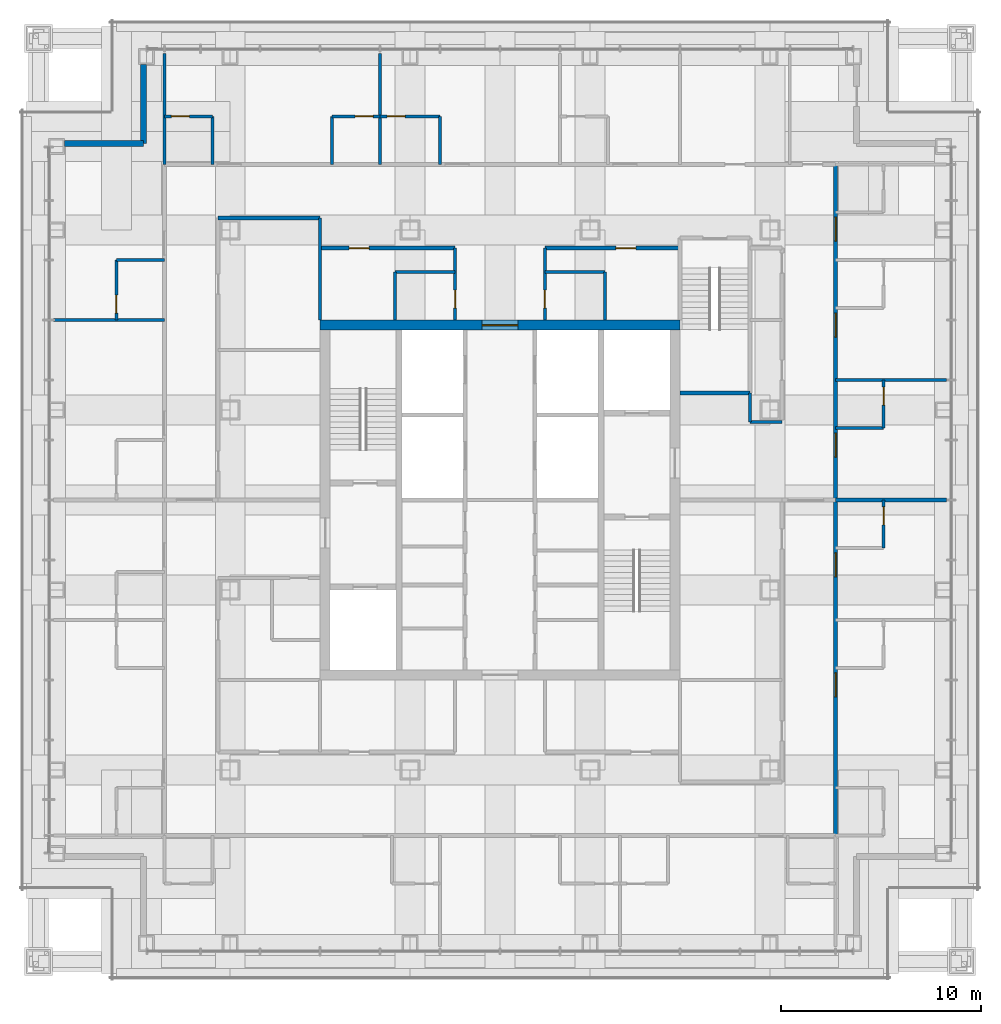
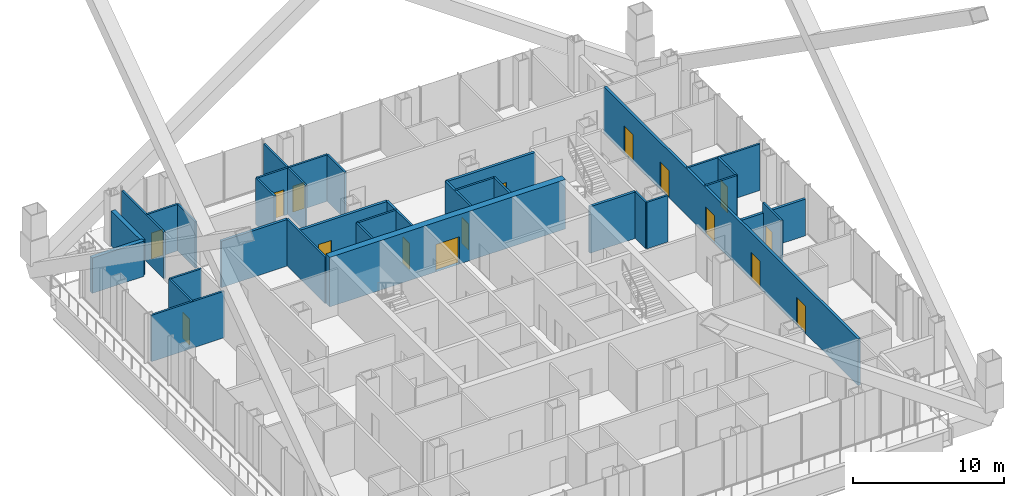
# One storey, part 14 of 18: 33 walls, 16 doors, 16 openings.
"""IFC4 building model written with IfcOpenShell, lengths in metres."""

import ifcopenshell
import ifcopenshell.guid

model = None  # the IFC model being written
_history = None  # IfcOwnerHistory: only IFC2X3 demands one
_inside = {}  # id of a spatial element -> (the spatial element, [elements in it])
_under = {}  # id of a project, library or spatial element -> (it, [spatial elements below it])
_declared = {}  # id of a project -> (the project, [libraries it declares])
_typed = {}  # id of a type object -> (the type object, [elements of that type])
_made_of = {}  # id of a material, layer set ... -> (it, [elements and type objects made of it])


def new_model(schema):
    """Start an empty IFC model of exactly this schema.

    Asked for "IFC4X3", IfcOpenShell would pick the latest addendum, in which some entities
    have other attributes; the version numbers below select the first issue.
    IFC2X3 requires an IfcOwnerHistory on every rooted entity: one is made here for all.
    """
    global model, _history
    if schema == "IFC4X3":
        model = ifcopenshell.file(schema_version=(4, 3, 0, 0))
    else:
        model = ifcopenshell.file(schema=schema)
    _inside.clear()
    _under.clear()
    _declared.clear()
    _typed.clear()
    _made_of.clear()
    _history = None
    if model.schema == "IFC2X3":
        org = make("IfcOrganization", Name="unknown")
        user = make(
            "IfcPersonAndOrganization",
            ThePerson=make("IfcPerson", FamilyName="unknown"),
            TheOrganization=org,
        )
        app = make(
            "IfcApplication",
            ApplicationDeveloper=org,
            Version="unknown",
            ApplicationFullName="unknown",
            ApplicationIdentifier="unknown",
        )
        _history = make(
            "IfcOwnerHistory",
            OwningUser=user,
            OwningApplication=app,
            ChangeAction="ADDED",
            CreationDate=0,
        )
    return model


def make(cls, **values):
    """One entity of the class cls with the attributes given. An attribute that is None is left unset."""
    return model.create_entity(
        cls, **{name: value for name, value in values.items() if value is not None}
    )


def rooted(cls, **values):
    """An entity with a GlobalId (a new one), such as an element, a storey or a relation."""
    return make(cls, GlobalId=ifcopenshell.guid.new(), OwnerHistory=_history, **values)


def si_unit(unit_type, name, prefix=None):
    """IfcSIUnit, for example si_unit("LENGTHUNIT", "METRE", prefix="MILLI")."""
    return make("IfcSIUnit", UnitType=unit_type, Prefix=prefix, Name=name)


def assignment(units):
    """IfcUnitAssignment: the units of a project."""
    return None if units is None else make("IfcUnitAssignment", Units=units)


def point(xyz):
    """IfcCartesianPoint."""
    return None if xyz is None else make("IfcCartesianPoint", Coordinates=xyz)


def direction(xyz):
    """IfcDirection."""
    return None if xyz is None else make("IfcDirection", DirectionRatios=xyz)


def frame(location, z_axis=None, x_axis=None):
    """IfcAxis2Placement3D, a coordinate frame: its origin and axes. An axis left out is left unset."""
    return make(
        "IfcAxis2Placement3D",
        Location=point(location),
        Axis=direction(z_axis),
        RefDirection=direction(x_axis),
    )


def frame_2d(location, x_axis=None):
    """IfcAxis2Placement2D, a coordinate frame in the plane: its origin and x axis."""
    return make(
        "IfcAxis2Placement2D", Location=point(location), RefDirection=direction(x_axis)
    )


def origin():
    """The frame at (0, 0, 0) with its axes left unset."""
    return frame((0.0, 0.0, 0.0))


def place(relative_to, where):
    """IfcLocalPlacement: puts the frame where relative to a parent placement (None: the world)."""
    return make(
        "IfcLocalPlacement", PlacementRelTo=relative_to, RelativePlacement=where
    )


def context(
    kind, dimensions, precision=None, world=None, true_north=None, identifier=None
):
    """IfcGeometricRepresentationContext, for example the 3D "Model" context."""
    return make(
        "IfcGeometricRepresentationContext",
        ContextIdentifier=identifier,
        ContextType=kind,
        CoordinateSpaceDimension=dimensions,
        Precision=precision,
        WorldCoordinateSystem=world,
        TrueNorth=true_north,
    )


def subcontext(parent, identifier, kind, view, scale=None):
    """IfcGeometricRepresentationSubContext, for example "Body" below "Model"."""
    return make(
        "IfcGeometricRepresentationSubContext",
        ContextIdentifier=identifier,
        ContextType=kind,
        ParentContext=parent,
        TargetScale=scale,
        TargetView=view,
    )


def project(units=None, contexts=None):
    """IfcProject with its units and contexts."""
    return rooted(
        "IfcProject",
        Name="project",
        RepresentationContexts=contexts,
        UnitsInContext=assignment(units),
    )


def spatial(cls, under=None, at=None, **own):
    """A site, building, storey or space (cls), placed at a placement, below another one or the project."""
    s = rooted(cls, ObjectPlacement=at, **own)
    if under is not None:
        _under.setdefault(under.id(), (under, []))[1].append(s)
    return s


def profile(cls, at=None, kind="AREA", **sizes):
    """A parametric profile (cls). Its sizes go by their IFC names, for example OverallWidth=200.0."""
    return make(cls, ProfileType=kind, Position=at, **sizes)


def rectangle(**sizes):
    """IfcRectangleProfileDef."""
    return profile("IfcRectangleProfileDef", **sizes)


def extrude(swept, where, along, depth):
    """IfcExtrudedAreaSolid: the profile swept, set in the frame where, extruded along a direction by depth."""
    return make(
        "IfcExtrudedAreaSolid",
        SweptArea=swept,
        Position=where,
        ExtrudedDirection=direction(along),
        Depth=depth,
    )


def shape(context_of_items, identifier, shape_type, items):
    """IfcShapeRepresentation: the items that make up one representation, for example the "Body"."""
    return make(
        "IfcShapeRepresentation",
        ContextOfItems=context_of_items,
        RepresentationIdentifier=identifier,
        RepresentationType=shape_type,
        Items=items,
    )


def material(Name=None, Category=None):
    """IfcMaterial."""
    return make("IfcMaterial", Name=Name, Category=Category)


def layer(
    of_material, thickness, ventilated=None, Name=None, Category=None, Priority=None
):
    """IfcMaterialLayer: one layer of a wall or slab, of a material (None: an air gap)."""
    return make(
        "IfcMaterialLayer",
        Material=of_material,
        LayerThickness=thickness,
        IsVentilated=ventilated,
        Name=Name,
        Category=Category,
        Priority=Priority,
    )


def layer_set(layers, Name=None):
    """IfcMaterialLayerSet."""
    return make("IfcMaterialLayerSet", MaterialLayers=layers, LayerSetName=Name)


def made_of(thing, what):
    """Note that an element or type object is made of a material, layer set ...; save() writes the relation."""
    if what is not None:
        _made_of.setdefault(what.id(), (what, []))[1].append(thing)
    return thing


def type_object(cls, material=None, **own):
    """A type object (cls), such as IfcWallType, which elements share."""
    return made_of(rooted(cls, **own), material)


def element(
    cls,
    number,
    at=None,
    inside=None,
    cuts=None,
    type_object=None,
    material=None,
    context=None,
    identifier="Body",
    shape_type=None,
    held_by="IfcProductDefinitionShape",
    body=None,
    shapes=None,
    **own,
):
    """One element of the class cls, such as IfcWall. Its Tag is "e" and its number.

    at: its placement. inside: the storey or other place that contains it. cuts: it is an
    opening in that element (IfcRelVoidsElement). A single representation is given by context,
    identifier, shape_type and body (its items); several are given by shapes. held_by: the class
    of the entity that holds the representations. save() writes the other relations.
    """
    e = rooted(cls, Tag="e%d" % number, ObjectPlacement=at, **own)
    if body is not None:
        shapes = [shape(context, identifier, shape_type, body)]
    if shapes is not None:
        e.Representation = make(held_by, Representations=shapes)
    if inside is not None:
        _inside.setdefault(inside.id(), (inside, []))[1].append(e)
    if cuts is not None:
        rooted(
            "IfcRelVoidsElement", RelatingBuildingElement=cuts, RelatedOpeningElement=e
        )
    if type_object is not None:
        _typed.setdefault(type_object.id(), (type_object, []))[1].append(e)
    return made_of(e, material)


def fill(opening, filler):
    """IfcRelFillsElement: the door or window that sits in an opening."""
    return rooted(
        "IfcRelFillsElement",
        RelatingOpeningElement=opening,
        RelatedBuildingElement=filler,
    )


def aggregate(whole, parts):
    """IfcRelAggregates: a whole, such as a stair, and the parts it consists of."""
    return rooted("IfcRelAggregates", RelatingObject=whole, RelatedObjects=parts)


def save(model, path):
    """Write the relations noted so far, then the file.

    IfcRelAggregates (storeys below a building ...), IfcRelContainedInSpatialStructure (elements
    in a storey), IfcRelDefinesByType, IfcRelAssociatesMaterial and IfcRelDeclares: one each for
    every whole, place, type object, material and project.
    """
    for whole, parts in _under.values():
        aggregate(whole, parts)
    for where, things in _inside.values():
        rooted(
            "IfcRelContainedInSpatialStructure",
            RelatedElements=things,
            RelatingStructure=where,
        )
    for kind, things in _typed.values():
        rooted("IfcRelDefinesByType", RelatedObjects=things, RelatingType=kind)
    for what, things in _made_of.values():
        rooted("IfcRelAssociatesMaterial", RelatedObjects=things, RelatingMaterial=what)
    for by, libraries in _declared.values():
        rooted("IfcRelDeclares", RelatingContext=by, RelatedDefinitions=libraries)
    model.write(path)


model = new_model("IFC4")

# Units and contexts
model_context = context("Model", 3, precision=1e-05, world=origin(), true_north=direction((0.0, 1.0)))
body_context = subcontext(model_context, "Body", "Model", "MODEL_VIEW")
ifc_project = project(units=[si_unit("LENGTHUNIT", "METRE"), si_unit("AREAUNIT", "SQUARE_METRE"), si_unit("VOLUMEUNIT", "CUBIC_METRE"), si_unit("PLANEANGLEUNIT", "RADIAN"), si_unit("MASSUNIT", "GRAM", prefix="KILO")], contexts=[model_context])

# Site, building, storey
site_placement = place(None, origin())
site = spatial("IfcSite", under=ifc_project, at=site_placement, CompositionType="ELEMENT")
building_placement = place(site_placement, origin())
building = spatial("IfcBuilding", under=site, at=building_placement, Name="Malebo Sky Hospital", CompositionType="ELEMENT")
storey_placement = place(building_placement, frame((0.0, 0.0, 177.0)))
storey = spatial("IfcBuildingStorey", under=building, at=storey_placement, Name="L42", CompositionType="ELEMENT", Elevation=177.0)

# Wall, opening, door
ifc_material_1 = material(Name="Concrete C80/95", Category="concrete")
ifc_layer_1 = layer(ifc_material_1, 0.5)
ifc_layer_set_1 = layer_set([ifc_layer_1], Name="CORE WALL 500")
wall_type_1 = type_object("IfcWallType", Name="CORE WALL 500", PredefinedType="SHEAR", material=ifc_layer_set_1)
wall_1_placement = place(storey_placement, frame((51.0, 70.75, 0.0), z_axis=(0.0, 0.0, 1.0), x_axis=(1.0, 0.0, 0.0)))
wall_1 = element("IfcWall", 1, at=wall_1_placement, inside=storey, type_object=wall_type_1, Name="Core wall N L42", PredefinedType="SHEAR", context=body_context, shape_type="SweptSolid", body=[
    extrude(rectangle(XDim=18.0, YDim=0.5, at=frame_2d((9.0, 0.0))), origin(), (0.0, 0.0, 1.0), 4.0),
])
opening_1_placement = place(wall_1_placement, frame((8.10009765625, 0.0, 0.0)))
opening_1 = element("IfcOpeningElement", 2, at=opening_1_placement, cuts=wall_1, Name="Opening D06", PredefinedType="OPENING", context=body_context, shape_type="SweptSolid", body=[
    extrude(rectangle(XDim=1.800048828125, YDim=2.199951171875, at=frame_2d((0.89990234375, 1.10009765625))), frame((0.0, 0.260009765625, 0.0), z_axis=(0.0, -1.0, 0.0), x_axis=(1.0, 0.0, 0.0)), (0.0, 0.0, 1.0), 0.52001953125),
])
ifc_material_2 = material(Name="Hardwood-faced door leaf in steel frame", Category="steel")
door_type_1 = type_object("IfcDoorType", Name="LOBBY DOOR PAIR 1800", OperationType="DOUBLE_DOOR_SINGLE_SWING", PredefinedType="DOOR", material=ifc_material_2)
door_1_placement = place(opening_1_placement, origin())
door_1 = element("IfcDoor", 3, at=door_1_placement, inside=storey, type_object=door_type_1, Name="Lift lobby door north", OperationType="DOUBLE_DOOR_SINGLE_SWING", OverallHeight=2.199951171875, OverallWidth=1.800048828125, PredefinedType="DOOR", context=body_context, shape_type="SweptSolid", body=[
    extrude(rectangle(XDim=1.800048828125, YDim=2.199951171875, at=frame_2d((0.89990234375, 1.10009765625))), frame((0.0, 0.02490234375, 0.0), z_axis=(0.0, -1.0, 0.0), x_axis=(1.0, 0.0, 0.0)), (0.0, 0.0, 1.0), 0.050048828125),
])
fill(opening_1, door_1)

# Wall
ifc_material_3 = material(Name="Gypsum board on steel studs", Category="steel")
ifc_layer_2 = layer(ifc_material_3, 0.199951171875)
ifc_layer_set_2 = layer_set([ifc_layer_2], Name="CORRIDOR WALL 200")
wall_type_2 = type_object("IfcWallType", Name="CORRIDOR WALL 200", PredefinedType="PARTITIONING", material=ifc_layer_set_2)
wall_2_placement = place(storey_placement, frame((45.89990234375, 76.10009765625, 0.0), z_axis=(0.0, 0.0, 1.0), x_axis=(1.0, 0.0, 0.0)))
element("IfcWall", 4, at=wall_2_placement, inside=storey, type_object=wall_type_2, Name="Corridor Wall 200 NCIK", PredefinedType="PARTITIONING", context=body_context, shape_type="SweptSolid", body=[
    extrude(rectangle(XDim=5.10009765625, YDim=0.199951171875, at=frame_2d((2.550048828125, 0.0))), origin(), (0.0, 0.0, 1.0), 3.75),
])

# Wall, opening, door
wall_3_placement = place(storey_placement, frame((51.0, 74.60009765625, 0.0), z_axis=(0.0, 0.0, 1.0), x_axis=(1.0, 0.0, 0.0)))
wall_3 = element("IfcWall", 5, at=wall_3_placement, inside=storey, type_object=wall_type_2, Name="Corridor Wall 200 NCI1", PredefinedType="PARTITIONING", context=body_context, shape_type="SweptSolid", body=[
    extrude(rectangle(XDim=6.75, YDim=0.199951171875, at=frame_2d((3.375, 0.0))), origin(), (0.0, 0.0, 1.0), 3.75),
])
opening_2_placement = place(wall_3_placement, frame((1.449951171875, 0.0, 0.0)))
opening_2 = element("IfcOpeningElement", 6, at=opening_2_placement, cuts=wall_3, Name="Opening D03", PredefinedType="OPENING", context=body_context, shape_type="SweptSolid", body=[
    extrude(rectangle(XDim=1.0, YDim=2.10009765625, at=frame_2d((0.5, 1.050048828125))), frame((0.0, 0.10986328125, 0.0), z_axis=(0.0, -1.0, 0.0), x_axis=(1.0, 0.0, 0.0)), (0.0, 0.0, 1.0), 0.219970703125),
])
door_type_2 = type_object("IfcDoorType", Name="ROOM DOOR 1000", OperationType="SINGLE_SWING_LEFT", PredefinedType="DOOR", material=ifc_material_2)
door_2_placement = place(opening_2_placement, origin())
door_2 = element("IfcDoor", 7, at=door_2_placement, inside=storey, type_object=door_type_2, Name="Clean utility room door", OperationType="SINGLE_SWING_LEFT", OverallHeight=2.10009765625, OverallWidth=1.0, PredefinedType="DOOR", context=body_context, shape_type="SweptSolid", body=[
    extrude(rectangle(XDim=1.0, YDim=2.10009765625, at=frame_2d((0.5, 1.050048828125))), frame((0.0, 0.02490234375, 0.0), z_axis=(0.0, -1.0, 0.0), x_axis=(1.0, 0.0, 0.0)), (0.0, 0.0, 1.0), 0.050048828125),
])
fill(opening_2, door_2)

wall_4_placement = place(storey_placement, frame((62.25, 74.60009765625, 0.0), z_axis=(0.0, 0.0, 1.0), x_axis=(1.0, 0.0, 0.0)))
wall_4 = element("IfcWall", 8, at=wall_4_placement, inside=storey, type_object=wall_type_2, Name="Corridor Wall 200 NCI2", PredefinedType="PARTITIONING", context=body_context, shape_type="SweptSolid", body=[
    extrude(rectangle(XDim=6.75, YDim=0.199951171875, at=frame_2d((3.375, 0.0))), origin(), (0.0, 0.0, 1.0), 3.75),
])
opening_3_placement = place(wall_4_placement, frame((3.550048828125, 0.0, 0.0)))
opening_3 = element("IfcOpeningElement", 9, at=opening_3_placement, cuts=wall_4, Name="Opening D03", PredefinedType="OPENING", context=body_context, shape_type="SweptSolid", body=[
    extrude(rectangle(XDim=1.0, YDim=2.10009765625, at=frame_2d((0.5, 1.050048828125))), frame((0.0, 0.10986328125, 0.0), z_axis=(0.0, -1.0, 0.0), x_axis=(1.0, 0.0, 0.0)), (0.0, 0.0, 1.0), 0.219970703125),
])
door_3_placement = place(opening_3_placement, origin())
door_3 = element("IfcDoor", 10, at=door_3_placement, inside=storey, type_object=door_type_2, Name="Medication room door", OperationType="SINGLE_SWING_RIGHT", OverallHeight=2.10009765625, OverallWidth=1.0, PredefinedType="DOOR", context=body_context, shape_type="SweptSolid", body=[
    extrude(rectangle(XDim=1.0, YDim=2.10009765625, at=frame_2d((0.5, 1.050048828125))), frame((0.0, 0.02490234375, 0.0), z_axis=(0.0, -1.0, 0.0), x_axis=(1.0, 0.0, 0.0)), (0.0, 0.0, 1.0), 0.050048828125),
])
fill(opening_3, door_3)

# Wall, openings, doors
wall_5_placement = place(storey_placement, frame((76.800048828125, 78.800048828125, 0.0), z_axis=(0.0, 0.0, 1.0), x_axis=(0.0, -1.0, 0.0)))
wall_5 = element("IfcWall", 11, at=wall_5_placement, inside=storey, type_object=wall_type_2, Name="Corridor Wall 200 ECO", PredefinedType="PARTITIONING", context=body_context, shape_type="SweptSolid", body=[
    extrude(rectangle(XDim=33.60009765625, YDim=0.199951171875, at=frame_2d((16.800048828125, 0.0))), origin(), (0.0, 0.0, 1.0), 3.75),
])
opening_4_placement = place(wall_5_placement, frame((2.64990234375, 0.0, 0.0)))
opening_4 = element("IfcOpeningElement", 12, at=opening_4_placement, cuts=wall_5, Name="Opening D01", PredefinedType="OPENING", context=body_context, shape_type="SweptSolid", body=[
    extrude(rectangle(XDim=1.199951171875, YDim=2.199951171875, at=frame_2d((0.60009765625, 1.10009765625))), frame((0.0, 0.10986328125, 0.0), z_axis=(0.0, -1.0, 0.0), x_axis=(1.0, 0.0, 0.0)), (0.0, 0.0, 1.0), 0.219970703125),
])
opening_5_placement = place(wall_5_placement, frame((7.449951171875, 0.0, 0.0)))
opening_5 = element("IfcOpeningElement", 13, at=opening_5_placement, cuts=wall_5, Name="Opening D01", PredefinedType="OPENING", context=body_context, shape_type="SweptSolid", body=[
    extrude(rectangle(XDim=1.199951171875, YDim=2.199951171875, at=frame_2d((0.60009765625, 1.10009765625))), frame((0.0, 0.10986328125, 0.0), z_axis=(0.0, -1.0, 0.0), x_axis=(1.0, 0.0, 0.0)), (0.0, 0.0, 1.0), 0.219970703125),
])
opening_6_placement = place(wall_5_placement, frame((13.449951171875, 0.0, 0.0)))
opening_6 = element("IfcOpeningElement", 14, at=opening_6_placement, cuts=wall_5, Name="Opening D01", PredefinedType="OPENING", context=body_context, shape_type="SweptSolid", body=[
    extrude(rectangle(XDim=1.199951171875, YDim=2.199951171875, at=frame_2d((0.60009765625, 1.10009765625))), frame((0.0, 0.10986328125, 0.0), z_axis=(0.0, -1.0, 0.0), x_axis=(1.0, 0.0, 0.0)), (0.0, 0.0, 1.0), 0.219970703125),
])
opening_7_placement = place(wall_5_placement, frame((19.449951171875, 0.0, 0.0)))
opening_7 = element("IfcOpeningElement", 15, at=opening_7_placement, cuts=wall_5, Name="Opening D01", PredefinedType="OPENING", context=body_context, shape_type="SweptSolid", body=[
    extrude(rectangle(XDim=1.199951171875, YDim=2.199951171875, at=frame_2d((0.60009765625, 1.10009765625))), frame((0.0, 0.10986328125, 0.0), z_axis=(0.0, -1.0, 0.0), x_axis=(1.0, 0.0, 0.0)), (0.0, 0.0, 1.0), 0.219970703125),
])
opening_8_placement = place(wall_5_placement, frame((25.449951171875, 0.0, 0.0)))
opening_8 = element("IfcOpeningElement", 16, at=opening_8_placement, cuts=wall_5, Name="Opening D01", PredefinedType="OPENING", context=body_context, shape_type="SweptSolid", body=[
    extrude(rectangle(XDim=1.199951171875, YDim=2.199951171875, at=frame_2d((0.60009765625, 1.10009765625))), frame((0.0, 0.10986328125, 0.0), z_axis=(0.0, -1.0, 0.0), x_axis=(1.0, 0.0, 0.0)), (0.0, 0.0, 1.0), 0.219970703125),
])
door_type_3 = type_object("IfcDoorType", Name="BED DOOR 1200", OperationType="SINGLE_SWING_LEFT", PredefinedType="DOOR", material=ifc_material_2)
door_4_placement = place(opening_4_placement, origin())
door_4 = element("IfcDoor", 17, at=door_4_placement, inside=storey, type_object=door_type_3, Name="Single bed room door", OperationType="SINGLE_SWING_LEFT", OverallHeight=2.199951171875, OverallWidth=1.199951171875, PredefinedType="DOOR", context=body_context, shape_type="SweptSolid", body=[
    extrude(rectangle(XDim=1.199951171875, YDim=2.199951171875, at=frame_2d((0.60009765625, 1.10009765625))), frame((0.0, 0.02490234375, 0.0), z_axis=(0.0, -1.0, 0.0), x_axis=(1.0, 0.0, 0.0)), (0.0, 0.0, 1.0), 0.050048828125),
])
fill(opening_4, door_4)
door_5_placement = place(opening_5_placement, origin())
door_5 = element("IfcDoor", 18, at=door_5_placement, inside=storey, type_object=door_type_3, Name="Single bed room door", OperationType="SINGLE_SWING_LEFT", OverallHeight=2.199951171875, OverallWidth=1.199951171875, PredefinedType="DOOR", context=body_context, shape_type="SweptSolid", body=[
    extrude(rectangle(XDim=1.199951171875, YDim=2.199951171875, at=frame_2d((0.60009765625, 1.10009765625))), frame((0.0, 0.02490234375, 0.0), z_axis=(0.0, -1.0, 0.0), x_axis=(1.0, 0.0, 0.0)), (0.0, 0.0, 1.0), 0.050048828125),
])
fill(opening_5, door_5)
door_6_placement = place(opening_6_placement, origin())
door_6 = element("IfcDoor", 19, at=door_6_placement, inside=storey, type_object=door_type_3, Name="Single bed room door", OperationType="SINGLE_SWING_LEFT", OverallHeight=2.199951171875, OverallWidth=1.199951171875, PredefinedType="DOOR", context=body_context, shape_type="SweptSolid", body=[
    extrude(rectangle(XDim=1.199951171875, YDim=2.199951171875, at=frame_2d((0.60009765625, 1.10009765625))), frame((0.0, 0.02490234375, 0.0), z_axis=(0.0, -1.0, 0.0), x_axis=(1.0, 0.0, 0.0)), (0.0, 0.0, 1.0), 0.050048828125),
])
fill(opening_6, door_6)
door_7_placement = place(opening_7_placement, origin())
door_7 = element("IfcDoor", 20, at=door_7_placement, inside=storey, type_object=door_type_3, Name="Single bed room door", OperationType="SINGLE_SWING_LEFT", OverallHeight=2.199951171875, OverallWidth=1.199951171875, PredefinedType="DOOR", context=body_context, shape_type="SweptSolid", body=[
    extrude(rectangle(XDim=1.199951171875, YDim=2.199951171875, at=frame_2d((0.60009765625, 1.10009765625))), frame((0.0, 0.02490234375, 0.0), z_axis=(0.0, -1.0, 0.0), x_axis=(1.0, 0.0, 0.0)), (0.0, 0.0, 1.0), 0.050048828125),
])
fill(opening_7, door_7)
door_8_placement = place(opening_8_placement, origin())
door_8 = element("IfcDoor", 21, at=door_8_placement, inside=storey, type_object=door_type_3, Name="Four-bed bay door", OperationType="SINGLE_SWING_LEFT", OverallHeight=2.199951171875, OverallWidth=1.199951171875, PredefinedType="DOOR", context=body_context, shape_type="SweptSolid", body=[
    extrude(rectangle(XDim=1.199951171875, YDim=2.199951171875, at=frame_2d((0.60009765625, 1.10009765625))), frame((0.0, 0.02490234375, 0.0), z_axis=(0.0, -1.0, 0.0), x_axis=(1.0, 0.0, 0.0)), (0.0, 0.0, 1.0), 0.050048828125),
])
fill(opening_8, door_8)

# Walls
ifc_material_4 = material(Name="Anodised aluminium rainscreen on steel framing", Category="steel")
ifc_layer_3 = layer(ifc_material_4, 0.300048828125)
ifc_layer_set_3 = layer_set([ifc_layer_3], Name="NOTCH RAINSCREEN WALL 300")
wall_type_3 = type_object("IfcWallType", Name="NOTCH RAINSCREEN WALL 300", PredefinedType="ELEMENTEDWALL", material=ifc_layer_set_3)
for number, where, z_axis, x_axis, name in (
    (22, (38.199951171875, 79.85009765625, 0.0), (0.0, 0.0, 1.0), (1.0, 0.0, 0.0), "Notch rainscreen wall W1 L42"),
    (23, (42.14990234375, 79.85009765625, 0.0), (0.0, 0.0, 1.0), (0.0, 1.0, 0.0), "Notch rainscreen wall W2 L42"),
):
    element("IfcWall", number, at=place(storey_placement, frame(where, z_axis=z_axis, x_axis=x_axis)), inside=storey, type_object=wall_type_3, Name=name, PredefinedType="ELEMENTEDWALL", context=body_context, shape_type="SweptSolid", body=[
        extrude(rectangle(XDim=3.949951171875, YDim=0.300048828125, at=frame_2d((1.97509765625, 0.0))), origin(), (0.0, 0.0, 1.0), 2.85009765625),
    ])
ifc_layer_4 = layer(ifc_material_3, 0.14990234375)
ifc_layer_set_4 = layer_set([ifc_layer_4], Name="PARTITION 150")
wall_type_4 = type_object("IfcWallType", Name="PARTITION 150", PredefinedType="PARTITIONING", material=ifc_layer_set_4)
for number, where, z_axis, x_axis, name in (
    (24, (54.0, 78.800048828125, 0.0), (0.0, 0.0, 1.0), (0.0, 1.0, 0.0), "Partition 150 NP-6.0"),
    (25, (43.199951171875, 78.800048828125, 0.0), (0.0, 0.0, 1.0), (0.0, 1.0, 0.0), "Partition 150 NP0"),
):
    element("IfcWall", number, at=place(storey_placement, frame(where, z_axis=z_axis, x_axis=x_axis)), inside=storey, type_object=wall_type_4, Name=name, PredefinedType="PARTITIONING", context=body_context, shape_type="SweptSolid", body=[
        extrude(rectangle(XDim=5.550048828125, YDim=0.14990234375, at=frame_2d((2.77490234375, 0.0))), origin(), (0.0, 0.0, 1.0), 3.75),
    ])

# Wall, opening, door
wall_6_placement = place(storey_placement, frame((43.199951171875, 81.199951171875, 0.0), z_axis=(0.0, 0.0, 1.0), x_axis=(1.0, 0.0, 0.0)))
wall_6 = element("IfcWall", 26, at=wall_6_placement, inside=storey, type_object=wall_type_4, Name="Partition 150 NE0F", PredefinedType="PARTITIONING", context=body_context, shape_type="SweptSolid", body=[
    extrude(rectangle(XDim=2.400146484375, YDim=0.14990234375, at=frame_2d((1.2001953125, 0.0))), origin(), (0.0, 0.0, 1.0), 3.75),
])
opening_9_placement = place(wall_6_placement, frame((0.35009765625, 0.0, 0.0)))
opening_9 = element("IfcOpeningElement", 27, at=opening_9_placement, cuts=wall_6, Name="Opening D02", PredefinedType="OPENING", context=body_context, shape_type="SweptSolid", body=[
    extrude(rectangle(XDim=0.89990234375, YDim=2.10009765625, at=frame_2d((0.449951171875, 1.050048828125))), frame((0.0, 0.0849609375, 0.0), z_axis=(0.0, -1.0, 0.0), x_axis=(1.0, 0.0, 0.0)), (0.0, 0.0, 1.0), 0.169921875),
])
door_type_4 = type_object("IfcDoorType", Name="EN-SUITE DOOR 900", OperationType="SINGLE_SWING_LEFT", PredefinedType="DOOR", material=ifc_material_2)
door_9_placement = place(opening_9_placement, origin())
door_9 = element("IfcDoor", 28, at=door_9_placement, inside=storey, type_object=door_type_4, Name="En-suite door", OperationType="SINGLE_SWING_LEFT", OverallHeight=2.10009765625, OverallWidth=0.89990234375, PredefinedType="DOOR", context=body_context, shape_type="SweptSolid", body=[
    extrude(rectangle(XDim=0.89990234375, YDim=2.10009765625, at=frame_2d((0.449951171875, 1.050048828125))), frame((0.0, 0.02490234375, 0.0), z_axis=(0.0, -1.0, 0.0), x_axis=(1.0, 0.0, 0.0)), (0.0, 0.0, 1.0), 0.050048828125),
])
fill(opening_9, door_9)

# Wall
wall_7_placement = place(storey_placement, frame((45.60009765625, 78.800048828125, 0.0), z_axis=(0.0, 0.0, 1.0), x_axis=(0.0, 1.0, 0.0)))
element("IfcWall", 29, at=wall_7_placement, inside=storey, type_object=wall_type_4, Name="Partition 150 NE0S", PredefinedType="PARTITIONING", context=body_context, shape_type="SweptSolid", body=[
    extrude(rectangle(XDim=2.39990234375, YDim=0.14990234375, at=frame_2d((1.199951171875, 0.0))), origin(), (0.0, 0.0, 1.0), 3.75),
])

# Wall, opening, door
wall_8_placement = place(storey_placement, frame((51.60009765625, 81.199951171875, 0.0), z_axis=(0.0, 0.0, 1.0), x_axis=(1.0, 0.0, 0.0)))
wall_8 = element("IfcWall", 30, at=wall_8_placement, inside=storey, type_object=wall_type_4, Name="Partition 150 NG0F", PredefinedType="PARTITIONING", context=body_context, shape_type="SweptSolid", body=[
    extrude(rectangle(XDim=2.39990234375, YDim=0.14990234375, at=frame_2d((1.199951171875, 0.0))), origin(), (0.0, 0.0, 1.0), 3.75),
])
opening_10_placement = place(wall_8_placement, frame((1.14990234375, 0.0, 0.0)))
opening_10 = element("IfcOpeningElement", 31, at=opening_10_placement, cuts=wall_8, Name="Opening D02", PredefinedType="OPENING", context=body_context, shape_type="SweptSolid", body=[
    extrude(rectangle(XDim=0.89990234375, YDim=2.10009765625, at=frame_2d((0.449951171875, 1.050048828125))), frame((0.0, 0.0849609375, 0.0), z_axis=(0.0, -1.0, 0.0), x_axis=(1.0, 0.0, 0.0)), (0.0, 0.0, 1.0), 0.169921875),
])
door_10_placement = place(opening_10_placement, origin())
door_10 = element("IfcDoor", 32, at=door_10_placement, inside=storey, type_object=door_type_4, Name="En-suite door", OperationType="SINGLE_SWING_RIGHT", OverallHeight=2.10009765625, OverallWidth=0.89990234375, PredefinedType="DOOR", context=body_context, shape_type="SweptSolid", body=[
    extrude(rectangle(XDim=0.89990234375, YDim=2.10009765625, at=frame_2d((0.449951171875, 1.050048828125))), frame((0.0, 0.02490234375, 0.0), z_axis=(0.0, -1.0, 0.0), x_axis=(1.0, 0.0, 0.0)), (0.0, 0.0, 1.0), 0.050048828125),
])
fill(opening_10, door_10)

# Wall
wall_9_placement = place(storey_placement, frame((51.60009765625, 78.800048828125, 0.0), z_axis=(0.0, 0.0, 1.0), x_axis=(0.0, 1.0, 0.0)))
element("IfcWall", 33, at=wall_9_placement, inside=storey, type_object=wall_type_4, Name="Partition 150 NG0S", PredefinedType="PARTITIONING", context=body_context, shape_type="SweptSolid", body=[
    extrude(rectangle(XDim=2.39990234375, YDim=0.14990234375, at=frame_2d((1.199951171875, 0.0))), origin(), (0.0, 0.0, 1.0), 3.75),
])

# Wall, opening, door
wall_10_placement = place(storey_placement, frame((54.0, 81.199951171875, 0.0), z_axis=(0.0, 0.0, 1.0), x_axis=(1.0, 0.0, 0.0)))
wall_10 = element("IfcWall", 34, at=wall_10_placement, inside=storey, type_object=wall_type_4, Name="Partition 150 NE1F", PredefinedType="PARTITIONING", context=body_context, shape_type="SweptSolid", body=[
    extrude(rectangle(XDim=3.0, YDim=0.14990234375, at=frame_2d((1.5, 0.0))), origin(), (0.0, 0.0, 1.0), 3.75),
])
opening_11_placement = place(wall_10_placement, frame((0.35009765625, 0.0, 0.0)))
opening_11 = element("IfcOpeningElement", 35, at=opening_11_placement, cuts=wall_10, Name="Opening D02", PredefinedType="OPENING", context=body_context, shape_type="SweptSolid", body=[
    extrude(rectangle(XDim=0.89990234375, YDim=2.10009765625, at=frame_2d((0.449951171875, 1.050048828125))), frame((0.0, 0.0849609375, 0.0), z_axis=(0.0, -1.0, 0.0), x_axis=(1.0, 0.0, 0.0)), (0.0, 0.0, 1.0), 0.169921875),
])
door_11_placement = place(opening_11_placement, origin())
door_11 = element("IfcDoor", 36, at=door_11_placement, inside=storey, type_object=door_type_4, Name="En-suite door", OperationType="SINGLE_SWING_LEFT", OverallHeight=2.10009765625, OverallWidth=0.89990234375, PredefinedType="DOOR", context=body_context, shape_type="SweptSolid", body=[
    extrude(rectangle(XDim=0.89990234375, YDim=2.10009765625, at=frame_2d((0.449951171875, 1.050048828125))), frame((0.0, 0.02490234375, 0.0), z_axis=(0.0, -1.0, 0.0), x_axis=(1.0, 0.0, 0.0)), (0.0, 0.0, 1.0), 0.050048828125),
])
fill(opening_11, door_11)

# Walls
wall_11_placement = place(storey_placement, frame((57.0, 78.800048828125, 0.0), z_axis=(0.0, 0.0, 1.0), x_axis=(0.0, 1.0, 0.0)))
element("IfcWall", 37, at=wall_11_placement, inside=storey, type_object=wall_type_4, Name="Partition 150 NE1S", PredefinedType="PARTITIONING", context=body_context, shape_type="SweptSolid", body=[
    extrude(rectangle(XDim=2.39990234375, YDim=0.14990234375, at=frame_2d((1.199951171875, 0.0))), origin(), (0.0, 0.0, 1.0), 3.75),
])
wall_12_placement = place(storey_placement, frame((51.0, 71.0, 0.0), z_axis=(0.0, 0.0, 1.0), x_axis=(0.0, 1.0, 0.0)))
element("IfcWall", 38, at=wall_12_placement, inside=storey, type_object=wall_type_4, Name="Partition 150 NSP0", PredefinedType="PARTITIONING", context=body_context, shape_type="SweptSolid", body=[
    extrude(rectangle(XDim=5.10009765625, YDim=0.14990234375, at=frame_2d((2.550048828125, 0.0))), origin(), (0.0, 0.0, 1.0), 3.75),
])

# Wall, opening, door
wall_13_placement = place(storey_placement, frame((57.75, 71.0, 0.0), z_axis=(0.0, 0.0, 1.0), x_axis=(0.0, 1.0, 0.0)))
wall_13 = element("IfcWall", 39, at=wall_13_placement, inside=storey, type_object=wall_type_4, Name="Partition 150 NSPA", PredefinedType="PARTITIONING", context=body_context, shape_type="SweptSolid", body=[
    extrude(rectangle(XDim=3.60009765625, YDim=0.14990234375, at=frame_2d((1.800048828125, 0.0))), origin(), (0.0, 0.0, 1.0), 3.75),
])
opening_12_placement = place(wall_13_placement, frame((0.60009765625, 0.0, 0.0)))
opening_12 = element("IfcOpeningElement", 40, at=opening_12_placement, cuts=wall_13, Name="Opening D04", PredefinedType="OPENING", context=body_context, shape_type="SweptSolid", body=[
    extrude(rectangle(XDim=0.89990234375, YDim=2.10009765625, at=frame_2d((0.449951171875, 1.050048828125))), frame((0.0, 0.0849609375, 0.0), z_axis=(0.0, -1.0, 0.0), x_axis=(1.0, 0.0, 0.0)), (0.0, 0.0, 1.0), 0.169921875),
])
door_type_5 = type_object("IfcDoorType", Name="ROOM DOOR 900", OperationType="SINGLE_SWING_LEFT", PredefinedType="DOOR", material=ifc_material_2)
door_12_placement = place(opening_12_placement, origin())
door_12 = element("IfcDoor", 41, at=door_12_placement, inside=storey, type_object=door_type_5, Name="Staff WC door", OperationType="SINGLE_SWING_LEFT", OverallHeight=2.10009765625, OverallWidth=0.89990234375, PredefinedType="DOOR", context=body_context, shape_type="SweptSolid", body=[
    extrude(rectangle(XDim=0.89990234375, YDim=2.10009765625, at=frame_2d((0.449951171875, 1.050048828125))), frame((0.0, 0.02490234375, 0.0), z_axis=(0.0, -1.0, 0.0), x_axis=(1.0, 0.0, 0.0)), (0.0, 0.0, 1.0), 0.050048828125),
])
fill(opening_12, door_12)

wall_14_placement = place(storey_placement, frame((62.25, 71.0, 0.0), z_axis=(0.0, 0.0, 1.0), x_axis=(0.0, 1.0, 0.0)))
wall_14 = element("IfcWall", 42, at=wall_14_placement, inside=storey, type_object=wall_type_4, Name="Partition 150 NSPB", PredefinedType="PARTITIONING", context=body_context, shape_type="SweptSolid", body=[
    extrude(rectangle(XDim=3.60009765625, YDim=0.14990234375, at=frame_2d((1.800048828125, 0.0))), origin(), (0.0, 0.0, 1.0), 3.75),
])
opening_13_placement = place(wall_14_placement, frame((0.60009765625, 0.0, 0.0)))
opening_13 = element("IfcOpeningElement", 43, at=opening_13_placement, cuts=wall_14, Name="Opening D04", PredefinedType="OPENING", context=body_context, shape_type="SweptSolid", body=[
    extrude(rectangle(XDim=0.89990234375, YDim=2.10009765625, at=frame_2d((0.449951171875, 1.050048828125))), frame((0.0, 0.0849609375, 0.0), z_axis=(0.0, -1.0, 0.0), x_axis=(1.0, 0.0, 0.0)), (0.0, 0.0, 1.0), 0.169921875),
])
door_13_placement = place(opening_13_placement, origin())
door_13 = element("IfcDoor", 44, at=door_13_placement, inside=storey, type_object=door_type_5, Name="Accessible WC door", OperationType="SINGLE_SWING_LEFT", OverallHeight=2.10009765625, OverallWidth=0.89990234375, PredefinedType="DOOR", context=body_context, shape_type="SweptSolid", body=[
    extrude(rectangle(XDim=0.89990234375, YDim=2.10009765625, at=frame_2d((0.449951171875, 1.050048828125))), frame((0.0, 0.02490234375, 0.0), z_axis=(0.0, -1.0, 0.0), x_axis=(1.0, 0.0, 0.0)), (0.0, 0.0, 1.0), 0.050048828125),
])
fill(opening_13, door_13)

# Walls
wall_15_placement = place(storey_placement, frame((54.75, 73.39990234375, 0.0), z_axis=(0.0, 0.0, 1.0), x_axis=(1.0, 0.0, 0.0)))
element("IfcWall", 45, at=wall_15_placement, inside=storey, type_object=wall_type_4, Name="Partition 150 NSX0", PredefinedType="PARTITIONING", context=body_context, shape_type="SweptSolid", body=[
    extrude(rectangle(XDim=3.0, YDim=0.14990234375, at=frame_2d((1.5, 0.0))), origin(), (0.0, 0.0, 1.0), 3.75),
])
wall_16_placement = place(storey_placement, frame((54.75, 71.0, 0.0), z_axis=(0.0, 0.0, 1.0), x_axis=(0.0, 1.0, 0.0)))
element("IfcWall", 46, at=wall_16_placement, inside=storey, type_object=wall_type_4, Name="Partition 150 NSY0", PredefinedType="PARTITIONING", context=body_context, shape_type="SweptSolid", body=[
    extrude(rectangle(XDim=2.39990234375, YDim=0.14990234375, at=frame_2d((1.199951171875, 0.0))), origin(), (0.0, 0.0, 1.0), 3.75),
])
wall_17_placement = place(storey_placement, frame((62.25, 73.39990234375, 0.0), z_axis=(0.0, 0.0, 1.0), x_axis=(1.0, 0.0, 0.0)))
element("IfcWall", 47, at=wall_17_placement, inside=storey, type_object=wall_type_4, Name="Partition 150 NSX1", PredefinedType="PARTITIONING", context=body_context, shape_type="SweptSolid", body=[
    extrude(rectangle(XDim=3.0, YDim=0.14990234375, at=frame_2d((1.5, 0.0))), origin(), (0.0, 0.0, 1.0), 3.75),
])
wall_18_placement = place(storey_placement, frame((65.25, 71.0, 0.0), z_axis=(0.0, 0.0, 1.0), x_axis=(0.0, 1.0, 0.0)))
element("IfcWall", 48, at=wall_18_placement, inside=storey, type_object=wall_type_4, Name="Partition 150 NSY1", PredefinedType="PARTITIONING", context=body_context, shape_type="SweptSolid", body=[
    extrude(rectangle(XDim=2.39990234375, YDim=0.14990234375, at=frame_2d((1.199951171875, 0.0))), origin(), (0.0, 0.0, 1.0), 3.75),
])
wall_19_placement = place(storey_placement, frame((43.199951171875, 71.0, 0.0), z_axis=(0.0, 0.0, 1.0), x_axis=(-1.0, 0.0, 0.0)))
element("IfcWall", 49, at=wall_19_placement, inside=storey, type_object=wall_type_4, Name="Partition 150 WP+9.0", PredefinedType="PARTITIONING", context=body_context, shape_type="SweptSolid", body=[
    extrude(rectangle(XDim=5.550048828125, YDim=0.14990234375, at=frame_2d((2.77490234375, 0.0))), origin(), (0.0, 0.0, 1.0), 3.75),
])

# Wall, opening, door
wall_20_placement = place(storey_placement, frame((40.800048828125, 71.0, 0.0), z_axis=(0.0, 0.0, 1.0), x_axis=(0.0, 1.0, 0.0)))
wall_20 = element("IfcWall", 50, at=wall_20_placement, inside=storey, type_object=wall_type_4, Name="Partition 150 WE3F", PredefinedType="PARTITIONING", context=body_context, shape_type="SweptSolid", body=[
    extrude(rectangle(XDim=3.0, YDim=0.14990234375, at=frame_2d((1.5, 0.0))), origin(), (0.0, 0.0, 1.0), 3.75),
])
opening_14_placement = place(wall_20_placement, frame((0.35009765625, 0.0, 0.0)))
opening_14 = element("IfcOpeningElement", 51, at=opening_14_placement, cuts=wall_20, Name="Opening D02", PredefinedType="OPENING", context=body_context, shape_type="SweptSolid", body=[
    extrude(rectangle(XDim=0.89990234375, YDim=2.10009765625, at=frame_2d((0.449951171875, 1.050048828125))), frame((0.0, 0.0849609375, 0.0), z_axis=(0.0, -1.0, 0.0), x_axis=(1.0, 0.0, 0.0)), (0.0, 0.0, 1.0), 0.169921875),
])
door_14_placement = place(opening_14_placement, origin())
door_14 = element("IfcDoor", 52, at=door_14_placement, inside=storey, type_object=door_type_4, Name="En-suite door", OperationType="SINGLE_SWING_LEFT", OverallHeight=2.10009765625, OverallWidth=0.89990234375, PredefinedType="DOOR", context=body_context, shape_type="SweptSolid", body=[
    extrude(rectangle(XDim=0.89990234375, YDim=2.10009765625, at=frame_2d((0.449951171875, 1.050048828125))), frame((0.0, 0.02490234375, 0.0), z_axis=(0.0, -1.0, 0.0), x_axis=(1.0, 0.0, 0.0)), (0.0, 0.0, 1.0), 0.050048828125),
])
fill(opening_14, door_14)

# Walls
wall_21_placement = place(storey_placement, frame((43.199951171875, 74.0, 0.0), z_axis=(0.0, 0.0, 1.0), x_axis=(-1.0, 0.0, 0.0)))
element("IfcWall", 53, at=wall_21_placement, inside=storey, type_object=wall_type_4, Name="Partition 150 WE3S", PredefinedType="PARTITIONING", context=body_context, shape_type="SweptSolid", body=[
    extrude(rectangle(XDim=2.39990234375, YDim=0.14990234375, at=frame_2d((1.199951171875, 0.0))), origin(), (0.0, 0.0, 1.0), 3.75),
])
wall_22_placement = place(storey_placement, frame((76.800048828125, 68.0, 0.0), z_axis=(0.0, 0.0, 1.0), x_axis=(1.0, 0.0, 0.0)))
element("IfcWall", 54, at=wall_22_placement, inside=storey, type_object=wall_type_4, Name="Partition 150 EP-6.0", PredefinedType="PARTITIONING", context=body_context, shape_type="SweptSolid", body=[
    extrude(rectangle(XDim=5.550048828125, YDim=0.14990234375, at=frame_2d((2.77490234375, 0.0))), origin(), (0.0, 0.0, 1.0), 3.75),
])

# Wall, opening, door
wall_23_placement = place(storey_placement, frame((79.199951171875, 68.0, 0.0), z_axis=(0.0, 0.0, 1.0), x_axis=(0.0, -1.0, 0.0)))
wall_23 = element("IfcWall", 55, at=wall_23_placement, inside=storey, type_object=wall_type_4, Name="Partition 150 EE2F", PredefinedType="PARTITIONING", context=body_context, shape_type="SweptSolid", body=[
    extrude(rectangle(XDim=2.39990234375, YDim=0.14990234375, at=frame_2d((1.199951171875, 0.0))), origin(), (0.0, 0.0, 1.0), 3.75),
])
opening_15_placement = place(wall_23_placement, frame((0.35009765625, 0.0, 0.0)))
opening_15 = element("IfcOpeningElement", 56, at=opening_15_placement, cuts=wall_23, Name="Opening D02", PredefinedType="OPENING", context=body_context, shape_type="SweptSolid", body=[
    extrude(rectangle(XDim=0.89990234375, YDim=2.10009765625, at=frame_2d((0.449951171875, 1.050048828125))), frame((0.0, 0.0849609375, 0.0), z_axis=(0.0, -1.0, 0.0), x_axis=(1.0, 0.0, 0.0)), (0.0, 0.0, 1.0), 0.169921875),
])
door_15_placement = place(opening_15_placement, origin())
door_15 = element("IfcDoor", 57, at=door_15_placement, inside=storey, type_object=door_type_4, Name="En-suite door", OperationType="SINGLE_SWING_LEFT", OverallHeight=2.10009765625, OverallWidth=0.89990234375, PredefinedType="DOOR", context=body_context, shape_type="SweptSolid", body=[
    extrude(rectangle(XDim=0.89990234375, YDim=2.10009765625, at=frame_2d((0.449951171875, 1.050048828125))), frame((0.0, 0.02490234375, 0.0), z_axis=(0.0, -1.0, 0.0), x_axis=(1.0, 0.0, 0.0)), (0.0, 0.0, 1.0), 0.050048828125),
])
fill(opening_15, door_15)

# Wall
wall_24_placement = place(storey_placement, frame((76.800048828125, 65.60009765625, 0.0), z_axis=(0.0, 0.0, 1.0), x_axis=(1.0, 0.0, 0.0)))
element("IfcWall", 58, at=wall_24_placement, inside=storey, type_object=wall_type_4, Name="Partition 150 EE2S", PredefinedType="PARTITIONING", context=body_context, shape_type="SweptSolid", body=[
    extrude(rectangle(XDim=2.39990234375, YDim=0.14990234375, at=frame_2d((1.199951171875, 0.0))), origin(), (0.0, 0.0, 1.0), 3.75),
])

# Wall, opening, door
wall_25_placement = place(storey_placement, frame((79.199951171875, 62.0, 0.0), z_axis=(0.0, 0.0, 1.0), x_axis=(0.0, -1.0, 0.0)))
wall_25 = element("IfcWall", 59, at=wall_25_placement, inside=storey, type_object=wall_type_4, Name="Partition 150 EE3F", PredefinedType="PARTITIONING", context=body_context, shape_type="SweptSolid", body=[
    extrude(rectangle(XDim=2.39990234375, YDim=0.14990234375, at=frame_2d((1.199951171875, 0.0))), origin(), (0.0, 0.0, 1.0), 3.75),
])
opening_16_placement = place(wall_25_placement, frame((0.35009765625, 0.0, 0.0)))
opening_16 = element("IfcOpeningElement", 60, at=opening_16_placement, cuts=wall_25, Name="Opening D02", PredefinedType="OPENING", context=body_context, shape_type="SweptSolid", body=[
    extrude(rectangle(XDim=0.89990234375, YDim=2.10009765625, at=frame_2d((0.449951171875, 1.050048828125))), frame((0.0, 0.0849609375, 0.0), z_axis=(0.0, -1.0, 0.0), x_axis=(1.0, 0.0, 0.0)), (0.0, 0.0, 1.0), 0.169921875),
])
door_16_placement = place(opening_16_placement, origin())
door_16 = element("IfcDoor", 61, at=door_16_placement, inside=storey, type_object=door_type_4, Name="En-suite door", OperationType="SINGLE_SWING_LEFT", OverallHeight=2.10009765625, OverallWidth=0.89990234375, PredefinedType="DOOR", context=body_context, shape_type="SweptSolid", body=[
    extrude(rectangle(XDim=0.89990234375, YDim=2.10009765625, at=frame_2d((0.449951171875, 1.050048828125))), frame((0.0, 0.02490234375, 0.0), z_axis=(0.0, -1.0, 0.0), x_axis=(1.0, 0.0, 0.0)), (0.0, 0.0, 1.0), 0.050048828125),
])
fill(opening_16, door_16)

# Walls
wall_26_placement = place(storey_placement, frame((72.5, 65.89990234375, 0.0), z_axis=(0.0, 0.0, 1.0), x_axis=(1.0, 0.0, 0.0)))
element("IfcWall", 62, at=wall_26_placement, inside=storey, type_object=wall_type_4, Name="Partition 150 ESPA", PredefinedType="PARTITIONING", context=body_context, shape_type="SweptSolid", body=[
    extrude(rectangle(XDim=1.60009765625, YDim=0.14990234375, at=frame_2d((0.800048828125, 0.0))), origin(), (0.0, 0.0, 1.0), 3.75),
])
wall_27_placement = place(storey_placement, frame((72.5, 65.89990234375, 0.0), z_axis=(0.0, 0.0, 1.0), x_axis=(0.0, 1.0, 0.0)))
element("IfcWall", 63, at=wall_27_placement, inside=storey, type_object=wall_type_4, Name="Partition 150 ST3C", PredefinedType="PARTITIONING", context=body_context, shape_type="SweptSolid", body=[
    extrude(rectangle(XDim=1.4501953125, YDim=0.14990234375, at=frame_2d((0.72509765625, 0.0))), origin(), (0.0, 0.0, 1.0), 3.75),
])
ifc_material_5 = material(Name="Concrete blockwork", Category="masonry")
ifc_layer_5 = layer(ifc_material_5, 0.199951171875)
ifc_layer_set_5 = layer_set([ifc_layer_5], Name="SMOKE BARRIER WALL 200")
wall_type_5 = type_object("IfcWallType", Name="SMOKE BARRIER WALL 200", PredefinedType="SOLIDWALL", material=ifc_layer_set_5)
wall_28_placement = place(storey_placement, frame((76.800048828125, 62.0, 0.0), z_axis=(0.0, 0.0, 1.0), x_axis=(1.0, 0.0, 0.0)))
element("IfcWall", 64, at=wall_28_placement, inside=storey, type_object=wall_type_5, Name="Smoke Barrier Wall 200 EP+0.0", PredefinedType="SOLIDWALL", context=body_context, shape_type="SweptSolid", body=[
    extrude(rectangle(XDim=5.550048828125, YDim=0.199951171875, at=frame_2d((2.77490234375, 0.0))), origin(), (0.0, 0.0, 1.0), 2.949951171875),
])
ifc_material_6 = material(Name="Concrete C40/50", Category="concrete")
ifc_layer_6 = layer(ifc_material_6, 0.199951171875)
ifc_layer_set_6 = layer_set([ifc_layer_6], Name="STAIR ENCLOSURE WALL 200")
wall_type_6 = type_object("IfcWallType", Name="STAIR ENCLOSURE WALL 200", PredefinedType="SOLIDWALL", material=ifc_layer_set_6)
wall_29_placement = place(storey_placement, frame((69.0, 67.35009765625, 0.0), z_axis=(0.0, 0.0, 1.0), x_axis=(1.0, 0.0, 0.0)))
element("IfcWall", 65, at=wall_29_placement, inside=storey, type_object=wall_type_6, Name="Stair Enclosure Wall 200 ST3S", PredefinedType="SOLIDWALL", context=body_context, shape_type="SweptSolid", body=[
    extrude(rectangle(XDim=3.5, YDim=0.199951171875, at=frame_2d((1.75, 0.0))), origin(), (0.0, 0.0, 1.0), 3.75),
])

save(model, "model.ifc")
